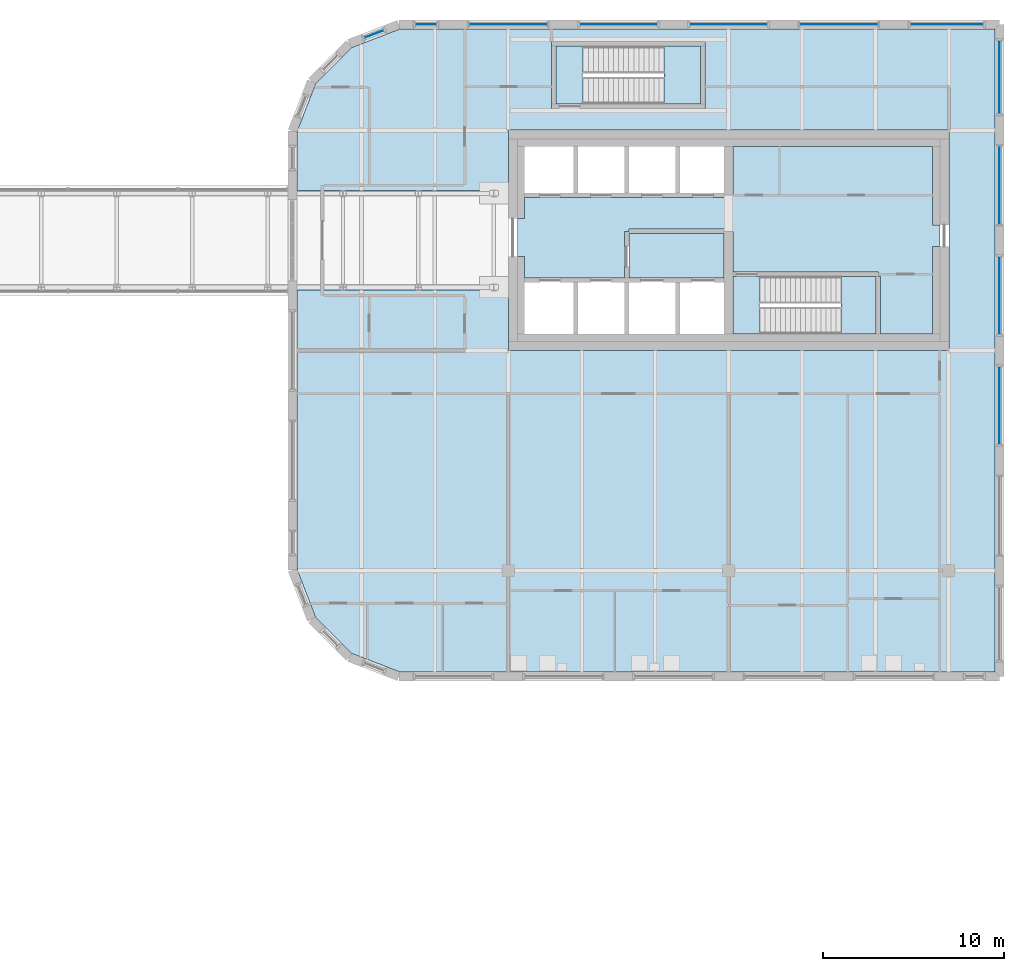
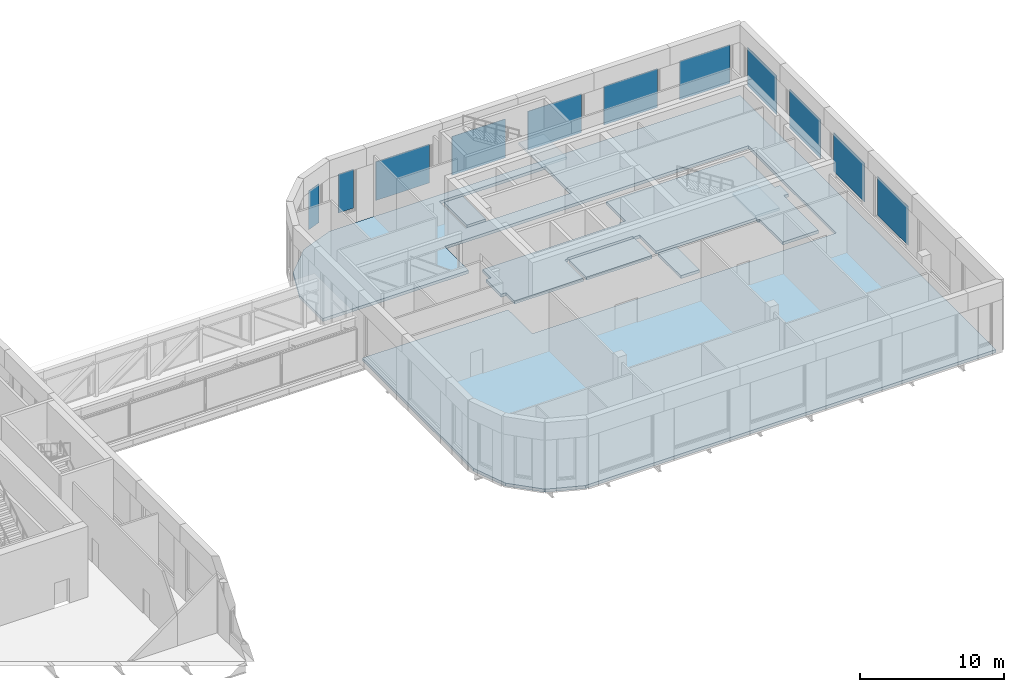
# One storey, part 19 of 36: 11 plates, 7 slabs, 13 elements without a shape of their own.
"""IFC4 building model written with IfcOpenShell, lengths in metres."""

from ifc_helpers import new_model, si_unit, direction, frame, origin, origin_2d, place, context, subcontext, project, spatial, polyline, rectangle, outline, extrude, material, layer, layer_set, type_object, element, aggregate, save


model = new_model("IFC4")

# Units and contexts
model_context = context("Model", 3, precision=1e-05, world=origin(), true_north=direction((0.0, 1.0)))
body_context = subcontext(model_context, "Body", "Model", "MODEL_VIEW")
ifc_project = project(units=[si_unit("LENGTHUNIT", "METRE"), si_unit("AREAUNIT", "SQUARE_METRE"), si_unit("VOLUMEUNIT", "CUBIC_METRE"), si_unit("PLANEANGLEUNIT", "RADIAN"), si_unit("MASSUNIT", "GRAM", prefix="KILO")], contexts=[model_context])

# Site, building, storey
site_placement = place(None, origin())
site = spatial("IfcSite", under=ifc_project, at=site_placement, CompositionType="ELEMENT")
building_placement = place(site_placement, origin())
building = spatial("IfcBuilding", under=site, at=building_placement, Name="Tessera Gate Towers", CompositionType="ELEMENT")
storey_placement = place(building_placement, frame((0.0, 0.0, 106.60009765625)))
storey = spatial("IfcBuildingStorey", under=building, at=storey_placement, Name="L26", CompositionType="ELEMENT", Elevation=106.60009765625)

# Slabs
ifc_material_1 = material(Name="Concrete C35/45", Category="concrete")
ifc_layer_1 = layer(ifc_material_1, 0.25)
ifc_layer_set_1 = layer_set([ifc_layer_1], Name="COMPOSITE FLOOR 250")
slab_type_1 = type_object("IfcSlabType", Name="COMPOSITE FLOOR 250", PredefinedType="FLOOR", material=ifc_layer_set_1)
slab_1_placement = place(storey_placement, frame((0.0, 0.0, -0.25)))
element("IfcSlab", 1, at=slab_1_placement, inside=storey, type_object=slab_type_1, Name="T2-L26", PredefinedType="FLOOR", context=body_context, shape_type="SweptSolid", body=[
    extrude(outline(polyline([(85.89990234375, 24.4931640625), (86.926025390625, 21.8330078125), (88.93310546875, 19.826171875), (91.593017578125, 18.800048828125), (124.550048828125, 18.800048828125), (124.550048828125, 54.39990234375), (91.593017578125, 54.39990234375), (88.93310546875, 53.373779296875), (86.926025390625, 51.366943359375), (85.89990234375, 48.706787109375), (85.89990234375, 45.450927734375), (97.60009765625, 45.450927734375), (97.60009765625, 48.800048828125), (122.0, 48.800048828125), (122.0, 36.60009765625), (97.60009765625, 36.60009765625), (97.60009765625, 39.948974609375), (85.89990234375, 39.948974609375), (85.89990234375, 24.4931640625)]), holes=[polyline([(100.0, 50.0), (100.0, 53.699951171875), (108.5, 53.699951171875), (108.5, 50.0), (100.0, 50.0)])]), origin(), (0.0, 0.0, 1.0), 0.25),
])
ifc_material_2 = material(Name="Concrete C35/45", Category="concrete")
ifc_layer_2 = layer(ifc_material_2, 0.25)
ifc_layer_set_2 = layer_set([ifc_layer_2], Name="CORE FLOOR SLAB 250")
slab_type_2 = type_object("IfcSlabType", Name="CORE FLOOR SLAB 250", PredefinedType="FLOOR", material=ifc_layer_set_2)
slab_2_placement = place(storey_placement, frame((0.0, 0.0, -0.25)))
element("IfcSlab", 2, at=slab_2_placement, inside=storey, type_object=slab_type_2, Name="L26 core floor slab", PredefinedType="FLOOR", context=body_context, shape_type="SweptSolid", body=[
    extrude(outline(polyline([(109.550048828125, 45.199951171875), (109.550048828125, 45.074951171875), (98.5, 45.074951171875), (98.5, 43.89990234375), (98.10009765625, 43.89990234375), (98.10009765625, 41.800048828125), (98.5, 41.800048828125), (98.5, 40.625), (104.02490234375, 40.625), (104.02490234375, 43.199951171875), (104.27490234375, 43.199951171875), (104.27490234375, 43.324951171875), (109.550048828125, 43.324951171875), (109.550048828125, 43.199951171875), (110.050048828125, 43.199951171875), (110.050048828125, 40.949951171875), (118.10009765625, 40.949951171875), (118.10009765625, 40.699951171875), (118.22509765625, 40.699951171875), (118.22509765625, 37.5), (121.10009765625, 37.5), (121.10009765625, 42.35009765625), (121.5, 42.35009765625), (121.5, 43.550048828125), (121.10009765625, 43.550048828125), (121.10009765625, 47.89990234375), (110.050048828125, 47.89990234375), (110.050048828125, 45.199951171875), (109.550048828125, 45.199951171875)])), origin(), (0.0, 0.0, 1.0), 0.25),
])
slab_3_placement = place(storey_placement, frame((0.0, 0.0, -0.25)))
element("IfcSlab", 3, at=slab_3_placement, inside=storey, type_object=slab_type_2, Name="L26 core floor slab", PredefinedType="FLOOR", context=body_context, shape_type="SweptSolid", body=[
    extrude(outline(polyline([(109.550048828125, 43.074951171875), (104.27490234375, 43.074951171875), (104.27490234375, 40.625), (109.550048828125, 40.625), (109.550048828125, 43.074951171875)])), origin(), (0.0, 0.0, 1.0), 0.25),
])
slab_4_placement = place(storey_placement, frame((0.0, 0.0, -0.25)))
element("IfcSlab", 4, at=slab_4_placement, inside=storey, type_object=slab_type_2, Name="L26 core floor slab", PredefinedType="FLOOR", context=body_context, shape_type="SweptSolid", body=[
    extrude(outline(polyline([(111.550048828125, 37.5), (111.550048828125, 40.699951171875), (110.050048828125, 40.699951171875), (110.050048828125, 37.5), (111.550048828125, 37.5)])), origin(), (0.0, 0.0, 1.0), 0.25),
])
slab_5_placement = place(storey_placement, frame((0.0, 0.0, -0.25)))
element("IfcSlab", 5, at=slab_5_placement, inside=storey, type_object=slab_type_2, Name="L26 ST7 floor landing", PredefinedType="FLOOR", context=body_context, shape_type="SweptSolid", body=[
    extrude(outline(polyline([(100.25, 50.25), (101.75, 50.25), (101.75, 53.449951171875), (100.25, 53.449951171875), (100.25, 50.25)])), origin(), (0.0, 0.0, 1.0), 0.25),
])

# Stair, slab
ifc_material_3 = material(Name="Concrete C40/50", Category="concrete")
stair_type_1 = type_object("IfcStairType", Name="EXIT STAIR ST6E 1500", PredefinedType="HALF_TURN_STAIR", material=ifc_material_3)
stair_1_placement = place(storey_placement, origin())
stair_1 = element("IfcStair", 6, at=stair_1_placement, inside=storey, type_object=stair_type_1, Name="L26 Protected Exit Stair ST6", PredefinedType="HALF_TURN_STAIR")
ifc_material_4 = material(Name="Concrete C40/50", Category="concrete")
ifc_layer_3 = layer(ifc_material_4, 0.199951171875)
ifc_layer_set_3 = layer_set([ifc_layer_3], Name="EXIT STAIR LANDING 200")
slab_type_3 = type_object("IfcSlabType", Name="EXIT STAIR LANDING 200", PredefinedType="LANDING", material=ifc_layer_set_3)
slab_6_placement = place(storey_placement, frame((0.0, 0.0, 2.7998046875)))
slab_6 = element("IfcSlab", 7, at=slab_6_placement, type_object=slab_type_3, Name="ST6 landing 1", PredefinedType="LANDING", context=body_context, shape_type="SweptSolid", body=[
    extrude(outline(polyline([(116.030029296875, 37.5), (117.97509765625, 37.5), (117.97509765625, 40.699951171875), (116.030029296875, 40.699951171875), (116.030029296875, 37.5)])), origin(), (0.0, 0.0, 1.0), 0.2001953125),
])
aggregate(stair_1, [slab_6])

ifc_material_5 = material(Name="Concrete C40/50", Category="concrete")
stair_type_2 = type_object("IfcStairType", Name="EXIT STAIR ST7E 1500", PredefinedType="HALF_TURN_STAIR", material=ifc_material_5)
stair_2_placement = place(storey_placement, origin())
stair_2 = element("IfcStair", 8, at=stair_2_placement, inside=storey, type_object=stair_type_2, Name="L26 North Exit Stair ST7", PredefinedType="HALF_TURN_STAIR")
slab_7_placement = place(storey_placement, frame((0.0, 0.0, 2.7998046875)))
slab_7 = element("IfcSlab", 9, at=slab_7_placement, type_object=slab_type_3, Name="ST7 landing 1", PredefinedType="LANDING", context=body_context, shape_type="SweptSolid", body=[
    extrude(outline(polyline([(106.22998046875, 50.25), (108.25, 50.25), (108.25, 53.449951171875), (106.22998046875, 53.449951171875), (106.22998046875, 50.25)])), origin(), (0.0, 0.0, 1.0), 0.2001953125),
])
aggregate(stair_2, [slab_7])

# Curtain wall, plate
ifc_material_6 = material(Name="Aluminium frame", Category="aluminium")
curtain_wall_type = type_object("IfcCurtainWallType", Name="CW-S3 amenity floor glazing", PredefinedType="NOTDEFINED", material=ifc_material_6)
curtain_wall_1_placement = place(storey_placement, origin())
curtain_wall_1 = element("IfcCurtainWall", 10, at=curtain_wall_1_placement, inside=storey, type_object=curtain_wall_type, Name="Curtain wall amenity floor glazing 0127", PredefinedType="NOTDEFINED")
ifc_material_7 = material(Name="Low-e laminated glass", Category="glass")
ifc_layer_4 = layer(ifc_material_7, 0.035888671875)
ifc_layer_set_4 = layer_set([ifc_layer_4], Name="PN-S3 glass panel 36")
plate_type = type_object("IfcPlateType", Name="PN-S3 glass panel 36", PredefinedType="CURTAIN_PANEL", material=ifc_layer_set_4)
plate_1_placement = place(storey_placement, frame((124.800048828125, 33.550048828125, 1.10009765625), z_axis=(0.0, 0.0, 1.0), x_axis=(0.0, 1.0, 0.0)))
plate_1 = element("IfcPlate", 11, at=plate_1_placement, type_object=plate_type, Name="T2-CW3-0127 panel 1.1", PredefinedType="CURTAIN_PANEL", context=body_context, shape_type="SweptSolid", body=[
    extrude(rectangle(XDim=4.300048828125, YDim=0.035888671875, at=origin_2d()), origin(), (0.0, 0.0, 1.0), 3.300048828125),
])
aggregate(curtain_wall_1, [plate_1])

curtain_wall_2_placement = place(storey_placement, origin())
curtain_wall_2 = element("IfcCurtainWall", 12, at=curtain_wall_2_placement, inside=storey, type_object=curtain_wall_type, Name="Curtain wall amenity floor glazing 0128", PredefinedType="NOTDEFINED")
plate_2_placement = place(storey_placement, frame((124.800048828125, 39.64990234375, 1.10009765625), z_axis=(0.0, 0.0, 1.0), x_axis=(0.0, 1.0, 0.0)))
plate_2 = element("IfcPlate", 13, at=plate_2_placement, type_object=plate_type, Name="T2-CW3-0128 panel 1.1", PredefinedType="CURTAIN_PANEL", context=body_context, shape_type="SweptSolid", body=[
    extrude(rectangle(XDim=4.300048828125, YDim=0.035888671875, at=origin_2d()), origin(), (0.0, 0.0, 1.0), 3.300048828125),
])
aggregate(curtain_wall_2, [plate_2])

curtain_wall_3_placement = place(storey_placement, origin())
curtain_wall_3 = element("IfcCurtainWall", 14, at=curtain_wall_3_placement, inside=storey, type_object=curtain_wall_type, Name="Curtain wall amenity floor glazing 0129", PredefinedType="NOTDEFINED")
plate_3_placement = place(storey_placement, frame((124.800048828125, 45.75, 1.10009765625), z_axis=(0.0, 0.0, 1.0), x_axis=(0.0, 1.0, 0.0)))
plate_3 = element("IfcPlate", 15, at=plate_3_placement, type_object=plate_type, Name="T2-CW3-0129 panel 1.1", PredefinedType="CURTAIN_PANEL", context=body_context, shape_type="SweptSolid", body=[
    extrude(rectangle(XDim=4.300048828125, YDim=0.035888671875, at=origin_2d()), origin(), (0.0, 0.0, 1.0), 3.300048828125),
])
aggregate(curtain_wall_3, [plate_3])

curtain_wall_4_placement = place(storey_placement, origin())
curtain_wall_4 = element("IfcCurtainWall", 16, at=curtain_wall_4_placement, inside=storey, type_object=curtain_wall_type, Name="Curtain wall amenity floor glazing 0130", PredefinedType="NOTDEFINED")
plate_4_placement = place(storey_placement, frame((124.800048828125, 51.72509765625, 1.10009765625), z_axis=(0.0, 0.0, 1.0), x_axis=(0.0, 1.0, 0.0)))
plate_4 = element("IfcPlate", 17, at=plate_4_placement, type_object=plate_type, Name="T2-CW3-0130 panel 1.1", PredefinedType="CURTAIN_PANEL", context=body_context, shape_type="SweptSolid", body=[
    extrude(rectangle(XDim=4.050048828125, YDim=0.035888671875, at=origin_2d()), origin(), (0.0, 0.0, 1.0), 3.300048828125),
])
aggregate(curtain_wall_4, [plate_4])

curtain_wall_5_placement = place(storey_placement, origin())
curtain_wall_5 = element("IfcCurtainWall", 18, at=curtain_wall_5_placement, inside=storey, type_object=curtain_wall_type, Name="Curtain wall amenity floor glazing 0131", PredefinedType="NOTDEFINED")
plate_5_placement = place(storey_placement, frame((121.875, 54.64990234375, 1.10009765625), z_axis=(0.0, 0.0, 1.0), x_axis=(-1.0, 0.0, 0.0)))
plate_5 = element("IfcPlate", 19, at=plate_5_placement, type_object=plate_type, Name="T2-CW3-0131 panel 1.1", PredefinedType="CURTAIN_PANEL", context=body_context, shape_type="SweptSolid", body=[
    extrude(rectangle(XDim=4.050048828125, YDim=0.035888671875, at=origin_2d()), origin(), (0.0, 0.0, 1.0), 3.300048828125),
])
aggregate(curtain_wall_5, [plate_5])

curtain_wall_6_placement = place(storey_placement, origin())
curtain_wall_6 = element("IfcCurtainWall", 20, at=curtain_wall_6_placement, inside=storey, type_object=curtain_wall_type, Name="Curtain wall amenity floor glazing 0132", PredefinedType="NOTDEFINED")
plate_6_placement = place(storey_placement, frame((115.89990234375, 54.64990234375, 1.10009765625), z_axis=(0.0, 0.0, 1.0), x_axis=(-1.0, 0.0, 0.0)))
plate_6 = element("IfcPlate", 21, at=plate_6_placement, type_object=plate_type, Name="T2-CW3-0132 panel 1.1", PredefinedType="CURTAIN_PANEL", context=body_context, shape_type="SweptSolid", body=[
    extrude(rectangle(XDim=4.300048828125, YDim=0.035888671875, at=origin_2d()), origin(), (0.0, 0.0, 1.0), 3.300048828125),
])
aggregate(curtain_wall_6, [plate_6])

curtain_wall_7_placement = place(storey_placement, origin())
curtain_wall_7 = element("IfcCurtainWall", 22, at=curtain_wall_7_placement, inside=storey, type_object=curtain_wall_type, Name="Curtain wall amenity floor glazing 0133", PredefinedType="NOTDEFINED")
plate_7_placement = place(storey_placement, frame((109.800048828125, 54.64990234375, 1.10009765625), z_axis=(0.0, 0.0, 1.0), x_axis=(-1.0, 0.0, 0.0)))
plate_7 = element("IfcPlate", 23, at=plate_7_placement, type_object=plate_type, Name="T2-CW3-0133 panel 1.1", PredefinedType="CURTAIN_PANEL", context=body_context, shape_type="SweptSolid", body=[
    extrude(rectangle(XDim=4.300048828125, YDim=0.035888671875, at=origin_2d()), origin(), (0.0, 0.0, 1.0), 3.300048828125),
])
aggregate(curtain_wall_7, [plate_7])

curtain_wall_8_placement = place(storey_placement, origin())
curtain_wall_8 = element("IfcCurtainWall", 24, at=curtain_wall_8_placement, inside=storey, type_object=curtain_wall_type, Name="Curtain wall amenity floor glazing 0134", PredefinedType="NOTDEFINED")
plate_8_placement = place(storey_placement, frame((103.699951171875, 54.64990234375, 1.10009765625), z_axis=(0.0, 0.0, 1.0), x_axis=(-1.0, 0.0, 0.0)))
plate_8 = element("IfcPlate", 25, at=plate_8_placement, type_object=plate_type, Name="T2-CW3-0134 panel 1.1", PredefinedType="CURTAIN_PANEL", context=body_context, shape_type="SweptSolid", body=[
    extrude(rectangle(XDim=4.300048828125, YDim=0.035888671875, at=origin_2d()), origin(), (0.0, 0.0, 1.0), 3.300048828125),
])
aggregate(curtain_wall_8, [plate_8])

curtain_wall_9_placement = place(storey_placement, origin())
curtain_wall_9 = element("IfcCurtainWall", 26, at=curtain_wall_9_placement, inside=storey, type_object=curtain_wall_type, Name="Curtain wall amenity floor glazing 0135", PredefinedType="NOTDEFINED")
plate_9_placement = place(storey_placement, frame((97.60009765625, 54.64990234375, 1.10009765625), z_axis=(0.0, 0.0, 1.0), x_axis=(-1.0, 0.0, 0.0)))
plate_9 = element("IfcPlate", 27, at=plate_9_placement, type_object=plate_type, Name="T2-CW3-0135 panel 1.1", PredefinedType="CURTAIN_PANEL", context=body_context, shape_type="SweptSolid", body=[
    extrude(rectangle(XDim=4.300048828125, YDim=0.035888671875, at=origin_2d()), origin(), (0.0, 0.0, 1.0), 3.300048828125),
])
aggregate(curtain_wall_9, [plate_9])

curtain_wall_10_placement = place(storey_placement, origin())
curtain_wall_10 = element("IfcCurtainWall", 28, at=curtain_wall_10_placement, inside=storey, type_object=curtain_wall_type, Name="Curtain wall amenity floor glazing 0136", PredefinedType="NOTDEFINED")
plate_10_placement = place(storey_placement, frame((93.04833984375, 54.64990234375, 1.10009765625), z_axis=(0.0, 0.0, 1.0), x_axis=(-1.0, 0.0, 0.0)))
plate_10 = element("IfcPlate", 29, at=plate_10_placement, type_object=plate_type, Name="T2-CW3-0136 panel 1.1", PredefinedType="CURTAIN_PANEL", context=body_context, shape_type="SweptSolid", body=[
    extrude(rectangle(XDim=1.203369140625, YDim=0.035888671875, at=origin_2d()), origin(), (0.0, 0.0, 1.0), 3.300048828125),
])
aggregate(curtain_wall_10, [plate_10])

curtain_wall_11_placement = place(storey_placement, origin())
curtain_wall_11 = element("IfcCurtainWall", 30, at=curtain_wall_11_placement, inside=storey, type_object=curtain_wall_type, Name="Curtain wall amenity floor glazing 0137", PredefinedType="NOTDEFINED")
plate_11_placement = place(storey_placement, frame((90.170166015625, 54.119140625, 1.10009765625), z_axis=(0.0, 0.0, 1.0), x_axis=(-0.932989314041, -0.359904070394, 0.0)))
plate_11 = element("IfcPlate", 31, at=plate_11_placement, type_object=plate_type, Name="T2-CW3-0137 panel 1.1", PredefinedType="CURTAIN_PANEL", context=body_context, shape_type="SweptSolid", body=[
    extrude(rectangle(XDim=1.150634765625, YDim=0.035888671875, at=origin_2d()), origin(), (0.0, 0.0, 1.0), 3.300048828125),
])
aggregate(curtain_wall_11, [plate_11])

save(model, "model.ifc")
